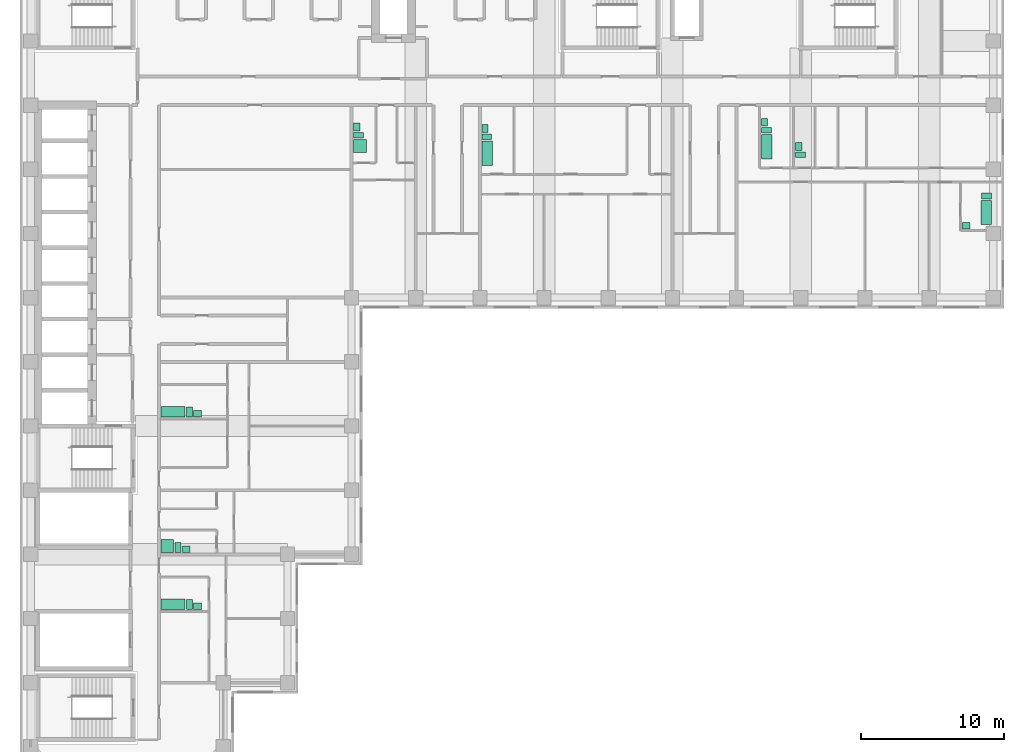
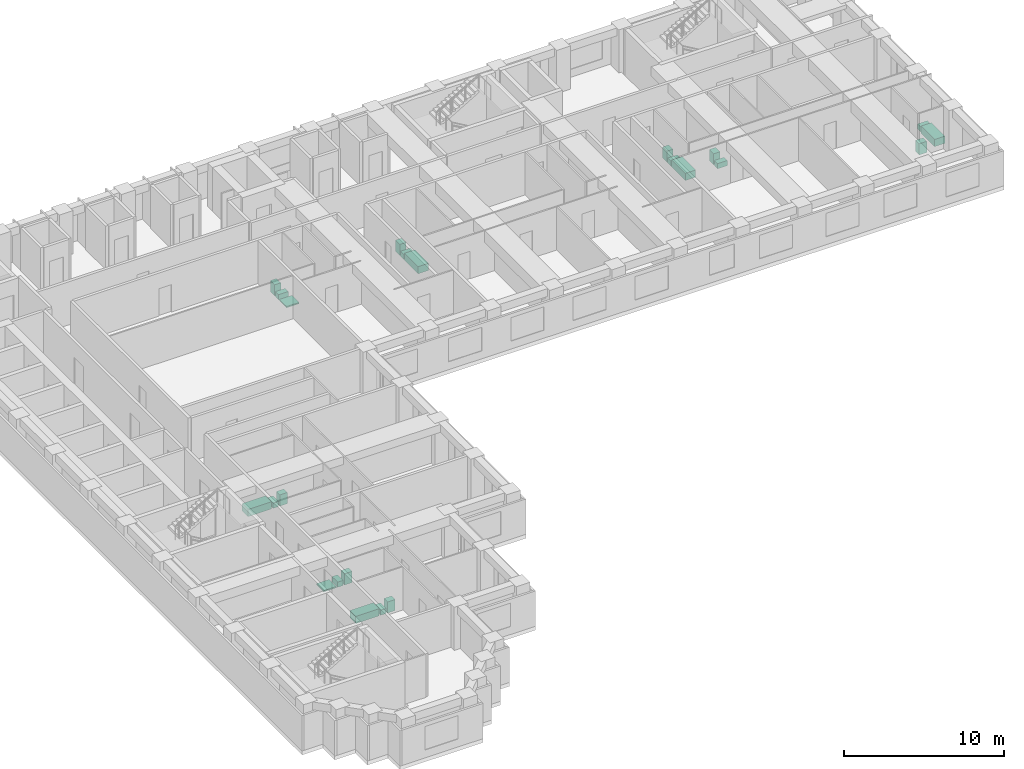
# One storey, part 12 of 12: 23 sanitary terminals.
"""IFC4 building model written with IfcOpenShell, lengths in metres."""

import ifcopenshell
import ifcopenshell.guid

model = None  # the IFC model being written
_history = None  # IfcOwnerHistory: only IFC2X3 demands one
_inside = {}  # id of a spatial element -> (the spatial element, [elements in it])
_under = {}  # id of a project, library or spatial element -> (it, [spatial elements below it])
_declared = {}  # id of a project -> (the project, [libraries it declares])
_typed = {}  # id of a type object -> (the type object, [elements of that type])
_made_of = {}  # id of a material, layer set ... -> (it, [elements and type objects made of it])


def new_model(schema):
    """Start an empty IFC model of exactly this schema.

    Asked for "IFC4X3", IfcOpenShell would pick the latest addendum, in which some entities
    have other attributes; the version numbers below select the first issue.
    IFC2X3 requires an IfcOwnerHistory on every rooted entity: one is made here for all.
    """
    global model, _history
    if schema == "IFC4X3":
        model = ifcopenshell.file(schema_version=(4, 3, 0, 0))
    else:
        model = ifcopenshell.file(schema=schema)
    _inside.clear()
    _under.clear()
    _declared.clear()
    _typed.clear()
    _made_of.clear()
    _history = None
    if model.schema == "IFC2X3":
        org = make("IfcOrganization", Name="unknown")
        user = make(
            "IfcPersonAndOrganization",
            ThePerson=make("IfcPerson", FamilyName="unknown"),
            TheOrganization=org,
        )
        app = make(
            "IfcApplication",
            ApplicationDeveloper=org,
            Version="unknown",
            ApplicationFullName="unknown",
            ApplicationIdentifier="unknown",
        )
        _history = make(
            "IfcOwnerHistory",
            OwningUser=user,
            OwningApplication=app,
            ChangeAction="ADDED",
            CreationDate=0,
        )
    return model


def make(cls, **values):
    """One entity of the class cls with the attributes given. An attribute that is None is left unset."""
    return model.create_entity(
        cls, **{name: value for name, value in values.items() if value is not None}
    )


def rooted(cls, **values):
    """An entity with a GlobalId (a new one), such as an element, a storey or a relation."""
    return make(cls, GlobalId=ifcopenshell.guid.new(), OwnerHistory=_history, **values)


def si_unit(unit_type, name, prefix=None):
    """IfcSIUnit, for example si_unit("LENGTHUNIT", "METRE", prefix="MILLI")."""
    return make("IfcSIUnit", UnitType=unit_type, Prefix=prefix, Name=name)


def assignment(units):
    """IfcUnitAssignment: the units of a project."""
    return None if units is None else make("IfcUnitAssignment", Units=units)


def point(xyz):
    """IfcCartesianPoint."""
    return None if xyz is None else make("IfcCartesianPoint", Coordinates=xyz)


def direction(xyz):
    """IfcDirection."""
    return None if xyz is None else make("IfcDirection", DirectionRatios=xyz)


def frame(location, z_axis=None, x_axis=None):
    """IfcAxis2Placement3D, a coordinate frame: its origin and axes. An axis left out is left unset."""
    return make(
        "IfcAxis2Placement3D",
        Location=point(location),
        Axis=direction(z_axis),
        RefDirection=direction(x_axis),
    )


def frame_2d(location, x_axis=None):
    """IfcAxis2Placement2D, a coordinate frame in the plane: its origin and x axis."""
    return make(
        "IfcAxis2Placement2D", Location=point(location), RefDirection=direction(x_axis)
    )


def origin():
    """The frame at (0, 0, 0) with its axes left unset."""
    return frame((0.0, 0.0, 0.0))


def origin_2d():
    """The frame at (0, 0) in the plane with its x axis left unset."""
    return frame_2d((0.0, 0.0))


def place(relative_to, where):
    """IfcLocalPlacement: puts the frame where relative to a parent placement (None: the world)."""
    return make(
        "IfcLocalPlacement", PlacementRelTo=relative_to, RelativePlacement=where
    )


def context(
    kind, dimensions, precision=None, world=None, true_north=None, identifier=None
):
    """IfcGeometricRepresentationContext, for example the 3D "Model" context."""
    return make(
        "IfcGeometricRepresentationContext",
        ContextIdentifier=identifier,
        ContextType=kind,
        CoordinateSpaceDimension=dimensions,
        Precision=precision,
        WorldCoordinateSystem=world,
        TrueNorth=true_north,
    )


def subcontext(parent, identifier, kind, view, scale=None):
    """IfcGeometricRepresentationSubContext, for example "Body" below "Model"."""
    return make(
        "IfcGeometricRepresentationSubContext",
        ContextIdentifier=identifier,
        ContextType=kind,
        ParentContext=parent,
        TargetScale=scale,
        TargetView=view,
    )


def project(units=None, contexts=None):
    """IfcProject with its units and contexts."""
    return rooted(
        "IfcProject",
        Name="project",
        RepresentationContexts=contexts,
        UnitsInContext=assignment(units),
    )


def spatial(cls, under=None, at=None, **own):
    """A site, building, storey or space (cls), placed at a placement, below another one or the project."""
    s = rooted(cls, ObjectPlacement=at, **own)
    if under is not None:
        _under.setdefault(under.id(), (under, []))[1].append(s)
    return s


def profile(cls, at=None, kind="AREA", **sizes):
    """A parametric profile (cls). Its sizes go by their IFC names, for example OverallWidth=200.0."""
    return make(cls, ProfileType=kind, Position=at, **sizes)


def rectangle(**sizes):
    """IfcRectangleProfileDef."""
    return profile("IfcRectangleProfileDef", **sizes)


def extrude(swept, where, along, depth):
    """IfcExtrudedAreaSolid: the profile swept, set in the frame where, extruded along a direction by depth."""
    return make(
        "IfcExtrudedAreaSolid",
        SweptArea=swept,
        Position=where,
        ExtrudedDirection=direction(along),
        Depth=depth,
    )


def shape(context_of_items, identifier, shape_type, items):
    """IfcShapeRepresentation: the items that make up one representation, for example the "Body"."""
    return make(
        "IfcShapeRepresentation",
        ContextOfItems=context_of_items,
        RepresentationIdentifier=identifier,
        RepresentationType=shape_type,
        Items=items,
    )


def material(Name=None, Category=None):
    """IfcMaterial."""
    return make("IfcMaterial", Name=Name, Category=Category)


def made_of(thing, what):
    """Note that an element or type object is made of a material, layer set ...; save() writes the relation."""
    if what is not None:
        _made_of.setdefault(what.id(), (what, []))[1].append(thing)
    return thing


def type_object(cls, material=None, **own):
    """A type object (cls), such as IfcWallType, which elements share."""
    return made_of(rooted(cls, **own), material)


def element(
    cls,
    number,
    at=None,
    inside=None,
    cuts=None,
    type_object=None,
    material=None,
    context=None,
    identifier="Body",
    shape_type=None,
    held_by="IfcProductDefinitionShape",
    body=None,
    shapes=None,
    **own,
):
    """One element of the class cls, such as IfcWall. Its Tag is "e" and its number.

    at: its placement. inside: the storey or other place that contains it. cuts: it is an
    opening in that element (IfcRelVoidsElement). A single representation is given by context,
    identifier, shape_type and body (its items); several are given by shapes. held_by: the class
    of the entity that holds the representations. save() writes the other relations.
    """
    e = rooted(cls, Tag="e%d" % number, ObjectPlacement=at, **own)
    if body is not None:
        shapes = [shape(context, identifier, shape_type, body)]
    if shapes is not None:
        e.Representation = make(held_by, Representations=shapes)
    if inside is not None:
        _inside.setdefault(inside.id(), (inside, []))[1].append(e)
    if cuts is not None:
        rooted(
            "IfcRelVoidsElement", RelatingBuildingElement=cuts, RelatedOpeningElement=e
        )
    if type_object is not None:
        _typed.setdefault(type_object.id(), (type_object, []))[1].append(e)
    return made_of(e, material)


def aggregate(whole, parts):
    """IfcRelAggregates: a whole, such as a stair, and the parts it consists of."""
    return rooted("IfcRelAggregates", RelatingObject=whole, RelatedObjects=parts)


def save(model, path):
    """Write the relations noted so far, then the file.

    IfcRelAggregates (storeys below a building ...), IfcRelContainedInSpatialStructure (elements
    in a storey), IfcRelDefinesByType, IfcRelAssociatesMaterial and IfcRelDeclares: one each for
    every whole, place, type object, material and project.
    """
    for whole, parts in _under.values():
        aggregate(whole, parts)
    for where, things in _inside.values():
        rooted(
            "IfcRelContainedInSpatialStructure",
            RelatedElements=things,
            RelatingStructure=where,
        )
    for kind, things in _typed.values():
        rooted("IfcRelDefinesByType", RelatedObjects=things, RelatingType=kind)
    for what, things in _made_of.values():
        rooted("IfcRelAssociatesMaterial", RelatedObjects=things, RelatingMaterial=what)
    for by, libraries in _declared.values():
        rooted("IfcRelDeclares", RelatingContext=by, RelatedDefinitions=libraries)
    model.write(path)


model = new_model("IFC4")

# Units and contexts
model_context = context("Model", 3, precision=1e-05, world=origin(), true_north=direction((0.0, 1.0)))
body_context = subcontext(model_context, "Body", "Model", "MODEL_VIEW")
ifc_project = project(units=[si_unit("LENGTHUNIT", "METRE"), si_unit("AREAUNIT", "SQUARE_METRE"), si_unit("VOLUMEUNIT", "CUBIC_METRE"), si_unit("PLANEANGLEUNIT", "RADIAN"), si_unit("MASSUNIT", "GRAM", prefix="KILO")], contexts=[model_context])

# Site, building, storey
site_placement = place(None, origin())
site = spatial("IfcSite", under=ifc_project, at=site_placement, CompositionType="ELEMENT")
building_placement = place(site_placement, origin())
building = spatial("IfcBuilding", under=site, at=building_placement, Name="Firuza Court", CompositionType="ELEMENT")
storey_placement = place(building_placement, frame((0.0, 0.0, 144.800048828125)))
storey = spatial("IfcBuildingStorey", under=building, at=storey_placement, Name="L36", CompositionType="ELEMENT", Elevation=144.800048828125)

# Sanitary terminals
ifc_material_1 = material(Name="Vitreous china", Category="ceramic")
sanitary_terminal_type_1 = type_object("IfcSanitaryTerminalType", Name="Fixture Bath", PredefinedType="BATH", material=ifc_material_1)
for number, where, z_axis, x_axis, name in (
    (1, (32.0048828125, 46.1298828125, 0.0), (0.0, 0.0, 1.0), (1.0, 0.0, 0.0), "Bath"),
    (2, (51.60498046875, 46.580078125, 0.0), (0.0, 0.0, 1.0), (1.0, 0.0, 0.0), "Bath"),
    (3, (66.9951171875, 41.97998046875, 0.0), (0.0, 0.0, 1.0), (1.0, 0.0, 0.0), "Bath"),
):
    element("IfcSanitaryTerminal", number, at=place(storey_placement, frame(where, z_axis=z_axis, x_axis=x_axis)), inside=storey, type_object=sanitary_terminal_type_1, Name=name, PredefinedType="BATH", context=body_context, shape_type="SweptSolid", body=[
        extrude(rectangle(XDim=0.75, YDim=1.699951171875, at=origin_2d()), origin(), (0.0, 0.0, 1.0), 0.550048828125),
    ])
for number, where, z_axis, x_axis, name in (
    (4, (9.97998046875, 28.0048828125, 0.0), (0.0, 0.0, 1.0), (1.0, 0.0, 0.0), "Bath"),
    (5, (9.97998046875, 14.5048828125, 0.0), (0.0, 0.0, 1.0), (1.0, 0.0, 0.0), "Bath"),
):
    element("IfcSanitaryTerminal", number, at=place(storey_placement, frame(where, z_axis=z_axis, x_axis=x_axis)), inside=storey, type_object=sanitary_terminal_type_1, Name=name, PredefinedType="BATH", context=body_context, shape_type="SweptSolid", body=[
        extrude(rectangle(XDim=1.699951171875, YDim=0.75, at=origin_2d()), origin(), (0.0, 0.0, 1.0), 0.550048828125),
    ])
ifc_material_2 = material(Name="Vitreous china", Category="ceramic")
sanitary_terminal_type_2 = type_object("IfcSanitaryTerminalType", Name="Fixture Shower tray", PredefinedType="SHOWER", material=ifc_material_2)
for number, where, z_axis, x_axis, name in (
    (6, (23.080078125, 46.6298828125, 0.0), (0.0, 0.0, 1.0), (1.0, 0.0, 0.0), "Shower tray"),
    (7, (9.580078125, 18.580078125, 0.0), (0.0, 0.0, 1.0), (1.0, 0.0, 0.0), "Shower tray"),
):
    element("IfcSanitaryTerminal", number, at=place(storey_placement, frame(where, z_axis=z_axis, x_axis=x_axis)), inside=storey, type_object=sanitary_terminal_type_2, Name=name, PredefinedType="SHOWER", context=body_context, shape_type="SweptSolid", body=[
        extrude(rectangle(XDim=0.89990234375, YDim=0.89990234375, at=origin_2d()), origin(), (0.0, 0.0, 1.0), 0.10009765625),
    ])
ifc_material_3 = material(Name="Vitreous china", Category="ceramic")
sanitary_terminal_type_3 = type_object("IfcSanitaryTerminalType", Name="Fixture WC pan", PredefinedType="TOILETPAN", material=ifc_material_3)
for number, where, z_axis, x_axis, name in (
    (8, (22.97998046875, 47.3798828125, 0.0), (0.0, 0.0, 1.0), (1.0, 0.0, 0.0), "WC pan"),
    (9, (31.97998046875, 47.280029296875, 0.0), (0.0, 0.0, 1.0), (1.0, 0.0, 0.0), "WC pan"),
    (10, (51.580078125, 47.72998046875, 0.0), (0.0, 0.0, 1.0), (1.0, 0.0, 0.0), "WC pan"),
    (11, (53.97998046875, 46.030029296875, 0.0), (0.0, 0.0, 1.0), (1.0, 0.0, 0.0), "WC pan"),
    (12, (67.02001953125, 43.1298828125, 0.0), (0.0, 0.0, 1.0), (1.0, 0.0, 0.0), "WC pan"),
):
    element("IfcSanitaryTerminal", number, at=place(storey_placement, frame(where, z_axis=z_axis, x_axis=x_axis)), inside=storey, type_object=sanitary_terminal_type_3, Name=name, PredefinedType="TOILETPAN", context=body_context, shape_type="SweptSolid", body=[
        extrude(rectangle(XDim=0.699951171875, YDim=0.39990234375, at=origin_2d()), origin(), (0.0, 0.0, 1.0), 0.39990234375),
    ])
for number, where, z_axis, x_axis, name in (
    (13, (11.1298828125, 27.97998046875, 0.0), (0.0, 0.0, 1.0), (1.0, 0.0, 0.0), "WC pan"),
    (14, (10.330078125, 18.47998046875, 0.0), (0.0, 0.0, 1.0), (1.0, 0.0, 0.0), "WC pan"),
    (15, (11.1298828125, 14.47998046875, 0.0), (0.0, 0.0, 1.0), (1.0, 0.0, 0.0), "WC pan"),
):
    element("IfcSanitaryTerminal", number, at=place(storey_placement, frame(where, z_axis=z_axis, x_axis=x_axis)), inside=storey, type_object=sanitary_terminal_type_3, Name=name, PredefinedType="TOILETPAN", context=body_context, shape_type="SweptSolid", body=[
        extrude(rectangle(XDim=0.39990234375, YDim=0.699951171875, at=origin_2d()), origin(), (0.0, 0.0, 1.0), 0.39990234375),
    ])
ifc_material_4 = material(Name="Vitreous china", Category="ceramic")
sanitary_terminal_type_4 = type_object("IfcSanitaryTerminalType", Name="Fixture Washbasin", PredefinedType="WASHHANDBASIN", material=ifc_material_4)
for number, where, z_axis, x_axis, name in (
    (16, (22.85498046875, 47.955078125, 0.0), (0.0, 0.0, 1.0), (1.0, 0.0, 0.0), "Washbasin"),
    (17, (31.85498046875, 47.85498046875, 0.0), (0.0, 0.0, 1.0), (1.0, 0.0, 0.0), "Washbasin"),
    (18, (51.455078125, 48.304931640625, 0.0), (0.0, 0.0, 1.0), (1.0, 0.0, 0.0), "Washbasin"),
    (19, (53.85498046875, 46.60498046875, 0.0), (0.0, 0.0, 1.0), (1.0, 0.0, 0.0), "Washbasin"),
):
    element("IfcSanitaryTerminal", number, at=place(storey_placement, frame(where, z_axis=z_axis, x_axis=x_axis)), inside=storey, type_object=sanitary_terminal_type_4, Name=name, PredefinedType="WASHHANDBASIN", context=body_context, shape_type="SweptSolid", body=[
        extrude(rectangle(XDim=0.449951171875, YDim=0.550048828125, at=origin_2d()), origin(), (0.0, 0.0, 1.0), 0.85009765625),
    ])
for number, where, z_axis, x_axis, name in (
    (20, (65.60498046875, 41.054931640625, 0.0), (0.0, 0.0, 1.0), (1.0, 0.0, 0.0), "Washbasin"),
    (21, (11.705078125, 27.85498046875, 0.0), (0.0, 0.0, 1.0), (1.0, 0.0, 0.0), "Washbasin"),
    (22, (10.905029296875, 18.35498046875, 0.0), (0.0, 0.0, 1.0), (1.0, 0.0, 0.0), "Washbasin"),
    (23, (11.705078125, 14.35498046875, 0.0), (0.0, 0.0, 1.0), (1.0, 0.0, 0.0), "Washbasin"),
):
    element("IfcSanitaryTerminal", number, at=place(storey_placement, frame(where, z_axis=z_axis, x_axis=x_axis)), inside=storey, type_object=sanitary_terminal_type_4, Name=name, PredefinedType="WASHHANDBASIN", context=body_context, shape_type="SweptSolid", body=[
        extrude(rectangle(XDim=0.550048828125, YDim=0.449951171875, at=origin_2d()), origin(), (0.0, 0.0, 1.0), 0.85009765625),
    ])

save(model, "model.ifc")
